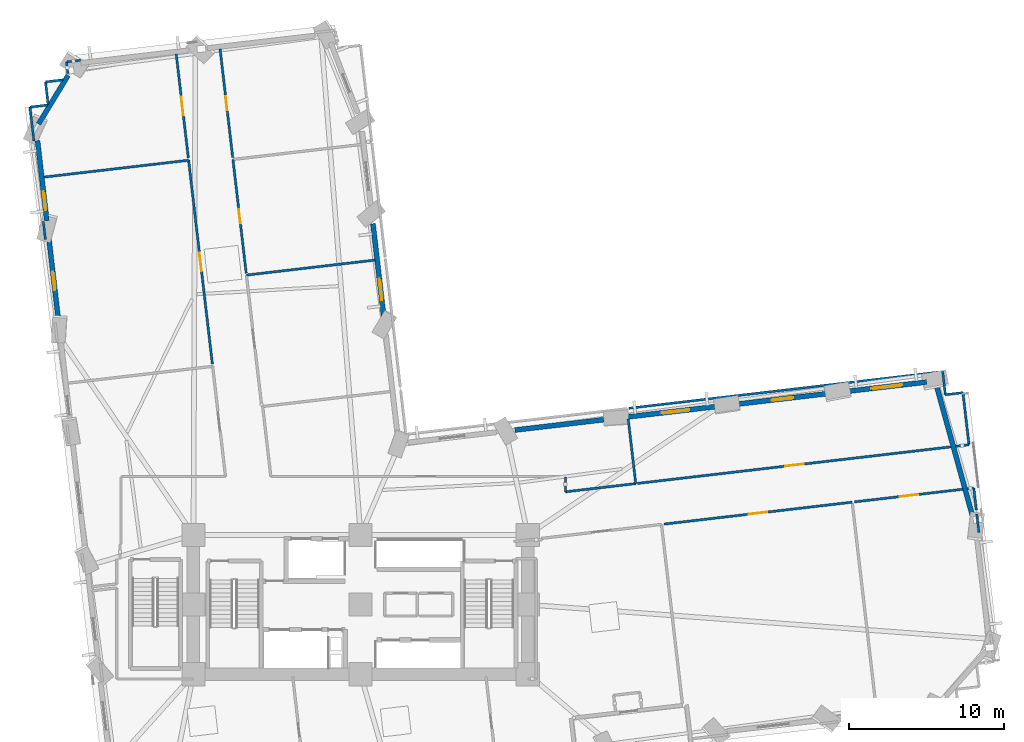
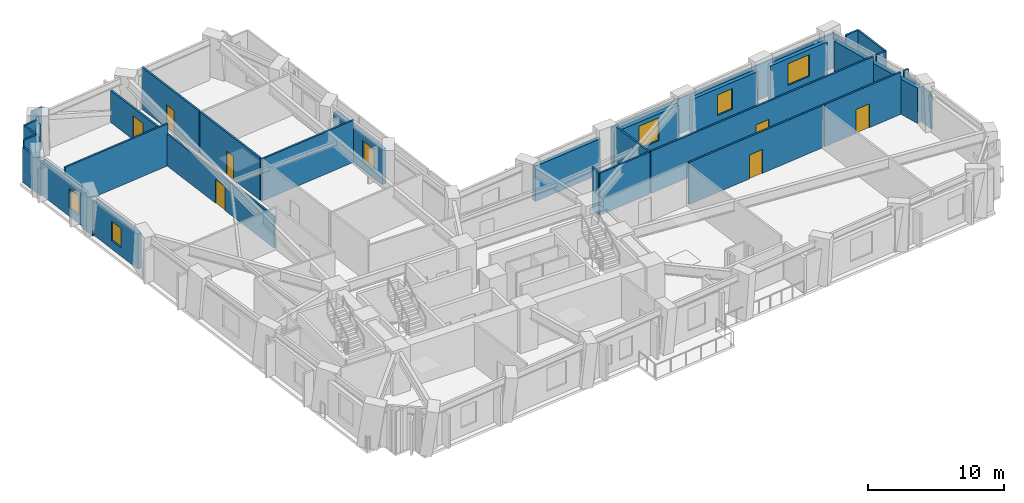
# One storey, part 9 of 14: 36 walls, 7 doors, 6 windows, 13 openings.
"""IFC4 building model written with IfcOpenShell, lengths in metres."""

from ifc_helpers import new_model, si_unit, direction, frame, frame_2d, origin, place, context, subcontext, project, spatial, rectangle, extrude, material, layer, layer_set, type_object, element, fill, save


model = new_model("IFC4")

# Units and contexts
model_context = context("Model", 3, precision=1e-05, world=origin(), true_north=direction((0.0, 1.0)))
body_context = subcontext(model_context, "Body", "Model", "MODEL_VIEW")
ifc_project = project(units=[si_unit("LENGTHUNIT", "METRE"), si_unit("AREAUNIT", "SQUARE_METRE"), si_unit("VOLUMEUNIT", "CUBIC_METRE"), si_unit("PLANEANGLEUNIT", "RADIAN"), si_unit("MASSUNIT", "GRAM", prefix="KILO")], contexts=[model_context])

# Site, building, storey
site_placement = place(None, origin())
site = spatial("IfcSite", under=ifc_project, at=site_placement, CompositionType="ELEMENT")
building_placement = place(site_placement, origin())
building = spatial("IfcBuilding", under=site, at=building_placement, Name="Gaonmaruhae Medical Tower", CompositionType="ELEMENT")
storey_placement = place(building_placement, frame((0.0, 0.0, 51.0)))
storey = spatial("IfcBuildingStorey", under=building, at=storey_placement, Name="L11", CompositionType="ELEMENT", Elevation=51.0)

# Wall
ifc_material_1 = material(Name="Precast concrete C45/55", Category="concrete")
ifc_layer_1 = layer(ifc_material_1, 0.320068359375)
ifc_layer_set_1 = layer_set([ifc_layer_1], Name="Precast concrete C45/55")
wall_type_1 = type_object("IfcWallType", Name="EW-320 Lower Precast Masonry-Frame Facade Wall", PredefinedType="SOLIDWALL", material=ifc_layer_set_1)
wall_1_placement = place(storey_placement, frame((62.015380859375, 26.38037109375, 0.0), z_axis=(0.0, 0.0, 1.0), x_axis=(0.266250491898, -0.963903872574, 0.0)))
element("IfcWall", 1, at=wall_1_placement, inside=storey, type_object=wall_type_1, Name="L11 Precast Masonry-Frame Wall E02-E03", PredefinedType="SOLIDWALL", context=body_context, shape_type="SweptSolid", body=[
    extrude(rectangle(XDim=8.614013671875, YDim=0.320068359375, at=frame_2d((4.30712890625, 0.0))), origin(), (0.0, 0.0, 1.0), 3.1650390625),
])

# Wall, opening, window
wall_2_placement = place(storey_placement, frame((56.19384765625, 26.074951171875, 0.0), z_axis=(0.0, 0.0, 1.0), x_axis=(0.993271318264, 0.115810570822, 0.0)))
wall_2 = element("IfcWall", 2, at=wall_2_placement, inside=storey, type_object=wall_type_1, Name="L11 Precast Masonry-Frame Wall E03-EN01", PredefinedType="SOLIDWALL", context=body_context, shape_type="SweptSolid", body=[
    extrude(rectangle(XDim=5.209228515625, YDim=0.320068359375, at=frame_2d((2.6044921875, 0.0))), origin(), (0.0, 0.0, 1.0), 3.1650390625),
])
opening_1_placement = place(wall_2_placement, frame((1.60009765625, 0.0, 0.75)))
opening_1 = element("IfcOpeningElement", 3, at=opening_1_placement, cuts=wall_2, Name="Opening WN-02", PredefinedType="OPENING", context=body_context, shape_type="SweptSolid", body=[
    extrude(rectangle(XDim=2.0, YDim=1.949951171875, at=frame_2d((1.0, 0.97509765625))), frame((0.0, 0.169921875, 0.0), z_axis=(0.0, -1.0, 0.0), x_axis=(1.0, 0.0, 0.0)), (0.0, 0.0, 1.0), 0.340087890625),
])
ifc_material_2 = material(Name="Anodised aluminium and Low-E double glazing", Category="aluminium")
window_type_1 = type_object("IfcWindowType", Name="WN-02 Double-Bed Ward Punched Window 2000x1950", PartitioningType="SINGLE_PANEL", PredefinedType="WINDOW", material=ifc_material_2)
window_1_placement = place(opening_1_placement, origin())
window_1 = element("IfcWindow", 4, at=window_1_placement, inside=storey, type_object=window_type_1, Name="L11 Modular Facade Window E03", OverallHeight=1.949951171875, OverallWidth=2.0, PartitioningType="SINGLE_PANEL", PredefinedType="WINDOW", context=body_context, shape_type="SweptSolid", body=[
    extrude(rectangle(XDim=2.0, YDim=1.949951171875, at=frame_2d((1.0, 0.97509765625))), frame((0.0, 0.030029296875, 0.0), z_axis=(0.0, -1.0, 0.0), x_axis=(1.0, 0.0, 0.0)), (0.0, 0.0, 1.0), 0.06005859375),
])
fill(opening_1, window_1)

wall_3_placement = place(storey_placement, frame((49.05810546875, 25.2431640625, 0.0), z_axis=(0.0, 0.0, 1.0), x_axis=(0.993274795212, 0.115780746223, 0.0)))
wall_3 = element("IfcWall", 5, at=wall_3_placement, inside=storey, type_object=wall_type_1, Name="L11 Precast Masonry-Frame Wall EN01-EN02", PredefinedType="SOLIDWALL", context=body_context, shape_type="SweptSolid", body=[
    extrude(rectangle(XDim=6.0244140625, YDim=0.320068359375, at=frame_2d((3.01220703125, 0.0))), origin(), (0.0, 0.0, 1.0), 3.1650390625),
])
opening_2_placement = place(wall_3_placement, frame((2.30859375, 0.0, 0.75)))
opening_2 = element("IfcOpeningElement", 6, at=opening_2_placement, cuts=wall_3, Name="Opening WN-03", PredefinedType="OPENING", context=body_context, shape_type="SweptSolid", body=[
    extrude(rectangle(XDim=1.39990234375, YDim=1.85009765625, at=frame_2d((0.699951171875, 0.925048828125))), frame((0.0, 0.169921875, 0.0), z_axis=(0.0, -1.0, 0.0), x_axis=(1.0, 0.0, 0.0)), (0.0, 0.0, 1.0), 0.340087890625),
])
window_type_2 = type_object("IfcWindowType", Name="WN-03 Isolation Ward Punched Window 1400x1850", PartitioningType="SINGLE_PANEL", PredefinedType="WINDOW", material=ifc_material_2)
window_2_placement = place(opening_2_placement, origin())
window_2 = element("IfcWindow", 7, at=window_2_placement, inside=storey, type_object=window_type_2, Name="L11 Modular Facade Window EN01", OverallHeight=1.85009765625, OverallWidth=1.39990234375, PartitioningType="SINGLE_PANEL", PredefinedType="WINDOW", context=body_context, shape_type="SweptSolid", body=[
    extrude(rectangle(XDim=1.39990234375, YDim=1.85009765625, at=frame_2d((0.699951171875, 0.925048828125))), frame((0.0, 0.030029296875, 0.0), z_axis=(0.0, -1.0, 0.0), x_axis=(1.0, 0.0, 0.0)), (0.0, 0.0, 1.0), 0.06005859375),
])
fill(opening_2, window_2)

wall_4_placement = place(storey_placement, frame((41.916259765625, 24.410400390625, 0.0), z_axis=(0.0, 0.0, 1.0), x_axis=(0.993271177126, 0.115811781314, 0.0)))
wall_4 = element("IfcWall", 8, at=wall_4_placement, inside=storey, type_object=wall_type_1, Name="L11 Precast Masonry-Frame Wall EN02-EN03", PredefinedType="SOLIDWALL", context=body_context, shape_type="SweptSolid", body=[
    extrude(rectangle(XDim=5.99951171875, YDim=0.320068359375, at=frame_2d((2.999755859375, 0.0))), origin(), (0.0, 0.0, 1.0), 3.1650390625),
])
opening_3_placement = place(wall_4_placement, frame((2.33837890625, 0.0, 0.75)))
opening_3 = element("IfcOpeningElement", 9, at=opening_3_placement, cuts=wall_4, Name="Opening WN-04", PredefinedType="OPENING", context=body_context, shape_type="SweptSolid", body=[
    extrude(rectangle(XDim=1.800048828125, YDim=2.050048828125, at=frame_2d((0.89990234375, 1.02490234375))), frame((0.0, 0.169921875, 0.0), z_axis=(0.0, -1.0, 0.0), x_axis=(1.0, 0.0, 0.0)), (0.0, 0.0, 1.0), 0.340087890625),
])
window_type_3 = type_object("IfcWindowType", Name="WN-04 Clinic & Consult Punched Window 1800x2050", PartitioningType="SINGLE_PANEL", PredefinedType="WINDOW", material=ifc_material_2)
window_3_placement = place(opening_3_placement, origin())
window_3 = element("IfcWindow", 10, at=window_3_placement, inside=storey, type_object=window_type_3, Name="L11 Modular Facade Window EN02", OverallHeight=2.050048828125, OverallWidth=1.800048828125, PartitioningType="SINGLE_PANEL", PredefinedType="WINDOW", context=body_context, shape_type="SweptSolid", body=[
    extrude(rectangle(XDim=1.800048828125, YDim=2.050048828125, at=frame_2d((0.89990234375, 1.02490234375))), frame((0.0, 0.030029296875, 0.0), z_axis=(0.0, -1.0, 0.0), x_axis=(1.0, 0.0, 0.0)), (0.0, 0.0, 1.0), 0.06005859375),
])
fill(opening_3, window_3)

# Wall
wall_5_placement = place(storey_placement, frame((34.7685546875, 23.5771484375, 0.0), z_axis=(0.0, 0.0, 1.0), x_axis=(0.993271428488, 0.115809625458, 0.0)))
element("IfcWall", 11, at=wall_5_placement, inside=storey, type_object=wall_type_1, Name="L11 Precast Masonry-Frame Wall EN03-EN04", PredefinedType="SOLIDWALL", context=body_context, shape_type="SweptSolid", body=[
    extrude(rectangle(XDim=5.987060546875, YDim=0.320068359375, at=frame_2d((2.99365234375, 0.0))), origin(), (0.0, 0.0, 1.0), 3.1650390625),
])

# Wall, opening, window
wall_6_placement = place(storey_placement, frame((26.2890625, 30.945556640625, 0.0), z_axis=(0.0, 0.0, 1.0), x_axis=(-0.11579232978, 0.99327344491, 0.0)))
wall_6 = element("IfcWall", 12, at=wall_6_placement, inside=storey, type_object=wall_type_1, Name="L11 Precast Masonry-Frame Wall NE01-NE02", PredefinedType="SOLIDWALL", context=body_context, shape_type="SweptSolid", body=[
    extrude(rectangle(XDim=5.996337890625, YDim=0.320068359375, at=frame_2d((2.998046875, 0.0))), origin(), (0.0, 0.0, 1.0), 3.1650390625),
])
opening_4_placement = place(wall_6_placement, frame((1.02001953125, 0.0, 0.75)))
opening_4 = element("IfcOpeningElement", 13, at=opening_4_placement, cuts=wall_6, Name="Opening WN-03", PredefinedType="OPENING", context=body_context, shape_type="SweptSolid", body=[
    extrude(rectangle(XDim=1.39990234375, YDim=1.85009765625, at=frame_2d((0.699951171875, 0.925048828125))), frame((0.0, 0.169921875, 0.0), z_axis=(0.0, -1.0, 0.0), x_axis=(1.0, 0.0, 0.0)), (0.0, 0.0, 1.0), 0.340087890625),
])
window_4_placement = place(opening_4_placement, origin())
window_4 = element("IfcWindow", 14, at=window_4_placement, inside=storey, type_object=window_type_2, Name="L11 Modular Facade Window NE01", OverallHeight=1.85009765625, OverallWidth=1.39990234375, PartitioningType="SINGLE_PANEL", PredefinedType="WINDOW", context=body_context, shape_type="SweptSolid", body=[
    extrude(rectangle(XDim=1.39990234375, YDim=1.85009765625, at=frame_2d((0.699951171875, 0.925048828125))), frame((0.0, 0.030029296875, 0.0), z_axis=(0.0, -1.0, 0.0), x_axis=(1.0, 0.0, 0.0)), (0.0, 0.0, 1.0), 0.06005859375),
])
fill(opening_4, window_4)

# Wall
wall_7_placement = place(storey_placement, frame((3.99853515625, 43.347900390625, 0.0), z_axis=(0.0, 0.0, 1.0), x_axis=(0.519169277359, 0.85467143479, 0.0)))
element("IfcWall", 15, at=wall_7_placement, inside=storey, type_object=wall_type_1, Name="L11 Precast Masonry-Frame Wall N03-W01", PredefinedType="SOLIDWALL", context=body_context, shape_type="SweptSolid", body=[
    extrude(rectangle(XDim=3.666015625, YDim=0.320068359375, at=frame_2d((1.8330078125, 0.0))), origin(), (0.0, 0.0, 1.0), 3.1650390625),
])

# Wall, opening, window
wall_8_placement = place(storey_placement, frame((4.531982421875, 37.0830078125, 0.0), z_axis=(0.0, 0.0, 1.0), x_axis=(-0.11578615957, 0.993274164192, 0.0)))
wall_8 = element("IfcWall", 16, at=wall_8_placement, inside=storey, type_object=wall_type_1, Name="L11 Precast Masonry-Frame Wall W01-W02", PredefinedType="SOLIDWALL", context=body_context, shape_type="SweptSolid", body=[
    extrude(rectangle(XDim=5.222900390625, YDim=0.320068359375, at=frame_2d((2.611328125, 0.0))), origin(), (0.0, 0.0, 1.0), 3.1650390625),
])
opening_5_placement = place(wall_8_placement, frame((0.714599609375, 0.0, 0.75)))
opening_5 = element("IfcOpeningElement", 17, at=opening_5_placement, cuts=wall_8, Name="Opening WN-05", PredefinedType="OPENING", context=body_context, shape_type="SweptSolid", body=[
    extrude(rectangle(XDim=1.199951171875, YDim=1.75, at=frame_2d((0.60009765625, 0.875))), frame((0.0, 0.169921875, 0.0), z_axis=(0.0, -1.0, 0.0), x_axis=(1.0, 0.0, 0.0)), (0.0, 0.0, 1.0), 0.340087890625),
])
window_type_4 = type_object("IfcWindowType", Name="WN-05 Support & Staff Punched Window 1200x1750", PartitioningType="SINGLE_PANEL", PredefinedType="WINDOW", material=ifc_material_2)
window_5_placement = place(opening_5_placement, origin())
window_5 = element("IfcWindow", 18, at=window_5_placement, inside=storey, type_object=window_type_4, Name="L11 Modular Facade Window W01", OverallHeight=1.75, OverallWidth=1.199951171875, PartitioningType="SINGLE_PANEL", PredefinedType="WINDOW", context=body_context, shape_type="SweptSolid", body=[
    extrude(rectangle(XDim=1.199951171875, YDim=1.75, at=frame_2d((0.60009765625, 0.875))), frame((0.0, 0.030029296875, 0.0), z_axis=(0.0, -1.0, 0.0), x_axis=(1.0, 0.0, 0.0)), (0.0, 0.0, 1.0), 0.06005859375),
])
fill(opening_5, window_5)

wall_9_placement = place(storey_placement, frame((5.29541015625, 30.53662109375, 0.0), z_axis=(0.0, 0.0, 1.0), x_axis=(-0.115818260526, 0.993270421652, 0.0)))
wall_9 = element("IfcWall", 19, at=wall_9_placement, inside=storey, type_object=wall_type_1, Name="L11 Precast Masonry-Frame Wall W02-W03", PredefinedType="SOLIDWALL", context=body_context, shape_type="SweptSolid", body=[
    extrude(rectangle(XDim=5.400634765625, YDim=0.320068359375, at=frame_2d((2.7001953125, 0.0))), origin(), (0.0, 0.0, 1.0), 3.1650390625),
])
opening_6_placement = place(wall_9_placement, frame((2.098388671875, 0.0, 0.75)))
opening_6 = element("IfcOpeningElement", 20, at=opening_6_placement, cuts=wall_9, Name="Opening WN-05", PredefinedType="OPENING", context=body_context, shape_type="SweptSolid", body=[
    extrude(rectangle(XDim=1.199951171875, YDim=1.75, at=frame_2d((0.60009765625, 0.875))), frame((0.0, 0.169921875, 0.0), z_axis=(0.0, -1.0, 0.0), x_axis=(1.0, 0.0, 0.0)), (0.0, 0.0, 1.0), 0.340087890625),
])
window_6_placement = place(opening_6_placement, origin())
window_6 = element("IfcWindow", 21, at=window_6_placement, inside=storey, type_object=window_type_4, Name="L11 Modular Facade Window W02", OverallHeight=1.75, OverallWidth=1.199951171875, PartitioningType="SINGLE_PANEL", PredefinedType="WINDOW", context=body_context, shape_type="SweptSolid", body=[
    extrude(rectangle(XDim=1.199951171875, YDim=1.75, at=frame_2d((0.60009765625, 0.875))), frame((0.0, 0.030029296875, 0.0), z_axis=(0.0, -1.0, 0.0), x_axis=(1.0, 0.0, 0.0)), (0.0, 0.0, 1.0), 0.06005859375),
])
fill(opening_6, window_6)

# Wall, opening, door
ifc_material_3 = material(Name="Gypsum board partition", Category="gypsum")
ifc_layer_2 = layer(ifc_material_3, 0.14990234375)
ifc_layer_set_2 = layer_set([ifc_layer_2], Name="Gypsum board partition")
wall_type_2 = type_object("IfcWallType", Name="PW-150 Rated Clinical Corridor Partition", PredefinedType="PARTITIONING", material=ifc_layer_set_2)
wall_10_placement = place(storey_placement, frame((44.39306640625, 17.5009765625, 0.0), z_axis=(0.0, 0.0, 1.0), x_axis=(0.993276639016, 0.115764927265, 0.0)))
wall_10 = element("IfcWall", 22, at=wall_10_placement, inside=storey, type_object=wall_type_2, Name="L11 Interior Partition L11-SUP04-33", PredefinedType="PARTITIONING", context=body_context, shape_type="SweptSolid", body=[
    extrude(rectangle(XDim=12.240234375, YDim=0.14990234375, at=frame_2d((6.1201171875, 0.0))), origin(), (0.0, 0.0, 1.0), 3.780029296875),
])
opening_7_placement = place(wall_10_placement, frame((5.52001953125, 0.0, 0.0)))
opening_7 = element("IfcOpeningElement", 23, at=opening_7_placement, cuts=wall_10, Name="Opening CD-02", PredefinedType="OPENING", context=body_context, shape_type="SweptSolid", body=[
    extrude(rectangle(XDim=1.199951171875, YDim=2.14990234375, at=frame_2d((0.60009765625, 1.074951171875))), frame((0.0, 0.0849609375, 0.0), z_axis=(0.0, -1.0, 0.0), x_axis=(1.0, 0.0, 0.0)), (0.0, 0.0, 1.0), 0.169921875),
])
ifc_material_4 = material(Name="Antimicrobial laminate timber fire door", Category="wood")
door_type_1 = type_object("IfcDoorType", Name="CD-02 Clinical Treatment & Procedure Door 1200x2150", OperationType="NOTDEFINED", PredefinedType="DOOR", material=ifc_material_4)
door_1_placement = place(opening_7_placement, origin())
door_1 = element("IfcDoor", 24, at=door_1_placement, inside=storey, type_object=door_type_1, Name="L11 Clinical Biomedical Charting Office Door", OperationType="SINGLE_SWING_LEFT", OverallHeight=2.14990234375, OverallWidth=1.199951171875, PredefinedType="DOOR", context=body_context, shape_type="SweptSolid", body=[
    extrude(rectangle(XDim=1.199951171875, YDim=2.14990234375, at=frame_2d((0.60009765625, 1.074951171875))), frame((0.0, 0.02490234375, 0.0), z_axis=(0.0, -1.0, 0.0), x_axis=(1.0, 0.0, 0.0)), (0.0, 0.0, 1.0), 0.050048828125),
])
fill(opening_7, door_1)

wall_11_placement = place(storey_placement, frame((56.708984375, 18.93701171875, 0.0), z_axis=(0.0, 0.0, 1.0), x_axis=(0.993269785823, 0.115823713336, 0.0)))
wall_11 = element("IfcWall", 25, at=wall_11_placement, inside=storey, type_object=wall_type_2, Name="L11 Interior Partition L11-SUP05-40", PredefinedType="PARTITIONING", context=body_context, shape_type="SweptSolid", body=[
    extrude(rectangle(XDim=7.04443359375, YDim=0.14990234375, at=frame_2d((3.522216796875, 0.0))), origin(), (0.0, 0.0, 1.0), 3.780029296875),
])
opening_8_placement = place(wall_11_placement, frame((2.922119140625, 0.0, 0.0)))
opening_8 = element("IfcOpeningElement", 26, at=opening_8_placement, cuts=wall_11, Name="Opening CD-02", PredefinedType="OPENING", context=body_context, shape_type="SweptSolid", body=[
    extrude(rectangle(XDim=1.199951171875, YDim=2.14990234375, at=frame_2d((0.60009765625, 1.074951171875))), frame((0.0, 0.0849609375, 0.0), z_axis=(0.0, -1.0, 0.0), x_axis=(1.0, 0.0, 0.0)), (0.0, 0.0, 1.0), 0.169921875),
])
door_2_placement = place(opening_8_placement, origin())
door_2 = element("IfcDoor", 27, at=door_2_placement, inside=storey, type_object=door_type_1, Name="L11 Clinical Biomedical Charting Office Door", OperationType="SINGLE_SWING_LEFT", OverallHeight=2.14990234375, OverallWidth=1.199951171875, PredefinedType="DOOR", context=body_context, shape_type="SweptSolid", body=[
    extrude(rectangle(XDim=1.199951171875, YDim=2.14990234375, at=frame_2d((0.60009765625, 1.074951171875))), frame((0.0, 0.02490234375, 0.0), z_axis=(0.0, -1.0, 0.0), x_axis=(1.0, 0.0, 0.0)), (0.0, 0.0, 1.0), 0.050048828125),
])
fill(opening_8, door_2)

# Walls
wall_12_placement = place(storey_placement, frame((63.97705078125, 19.783935546875, 0.0), z_axis=(0.0, 0.0, 1.0), x_axis=(0.99313891796, 0.116940538875, 0.0)))
element("IfcWall", 28, at=wall_12_placement, inside=storey, type_object=wall_type_2, Name="L11 Interior Partition L11-SUP05-41", PredefinedType="PARTITIONING", context=body_context, shape_type="SweptSolid", body=[
    extrude(rectangle(XDim=0.427978515625, YDim=0.14990234375, at=frame_2d((0.2138671875, 0.0))), origin(), (0.0, 0.0, 1.0), 3.780029296875),
])
wall_13_placement = place(storey_placement, frame((64.402099609375, 19.833984375, 0.0), z_axis=(0.0, 0.0, 1.0), x_axis=(0.115756627121, -0.993277606351, 0.0)))
element("IfcWall", 29, at=wall_13_placement, inside=storey, type_object=wall_type_2, Name="L11 Interior Partition L11-SUP05-42", PredefinedType="PARTITIONING", context=body_context, shape_type="SweptSolid", body=[
    extrude(rectangle(XDim=1.423583984375, YDim=0.14990234375, at=frame_2d((0.7119140625, 0.0))), origin(), (0.0, 0.0, 1.0), 3.1650390625),
])
wall_14_placement = place(storey_placement, frame((64.597900390625, 18.156982421875, 0.0), z_axis=(0.0, 0.0, 1.0), x_axis=(0.11532567152, -0.993327735185, 0.0)))
element("IfcWall", 30, at=wall_14_placement, inside=storey, type_object=wall_type_2, Name="L11 Interior Partition L11-SUP05-43", PredefinedType="PARTITIONING", context=body_context, shape_type="SweptSolid", body=[
    extrude(rectangle(XDim=1.215087890625, YDim=0.14990234375, at=frame_2d((0.607421875, 0.0))), origin(), (0.0, 0.0, 1.0), 3.1650390625),
])
wall_15_placement = place(storey_placement, frame((4.337890625, 39.9130859375, 0.0), z_axis=(0.0, 0.0, 1.0), x_axis=(0.993278152999, 0.11575193638, 0.0)))
element("IfcWall", 31, at=wall_15_placement, inside=storey, type_object=wall_type_2, Name="L11 Interior Partition L11-WOF07-56", PredefinedType="PARTITIONING", context=body_context, shape_type="SweptSolid", body=[
    extrude(rectangle(XDim=9.415283203125, YDim=0.14990234375, at=frame_2d((4.70751953125, 0.0))), origin(), (0.0, 0.0, 1.0), 3.780029296875),
])

# Wall, opening, door
wall_16_placement = place(storey_placement, frame((13.68994140625, 41.0029296875, 0.0), z_axis=(0.0, 0.0, 1.0), x_axis=(0.11578306798, -0.993274524575, 0.0)))
wall_16 = element("IfcWall", 32, at=wall_16_placement, inside=storey, type_object=wall_type_2, Name="L11 Interior Partition L11-WOF07-57", PredefinedType="PARTITIONING", context=body_context, shape_type="SweptSolid", body=[
    extrude(rectangle(XDim=13.239990234375, YDim=0.14990234375, at=frame_2d((6.6201171875, 0.0))), origin(), (0.0, 0.0, 1.0), 2.864990234375),
])
opening_9_placement = place(wall_16_placement, frame((6.02001953125, 0.0, 0.0)))
opening_9 = element("IfcOpeningElement", 33, at=opening_9_placement, cuts=wall_16, Name="Opening CD-02", PredefinedType="OPENING", context=body_context, shape_type="SweptSolid", body=[
    extrude(rectangle(XDim=1.199951171875, YDim=2.14990234375, at=frame_2d((0.60009765625, 1.074951171875))), frame((0.0, 0.0849609375, 0.0), z_axis=(0.0, -1.0, 0.0), x_axis=(1.0, 0.0, 0.0)), (0.0, 0.0, 1.0), 0.169921875),
])
door_3_placement = place(opening_9_placement, origin())
door_3 = element("IfcDoor", 34, at=door_3_placement, inside=storey, type_object=door_type_1, Name="L11 Ward Physician Reporting Office Door", OperationType="SINGLE_SWING_LEFT", OverallHeight=2.14990234375, OverallWidth=1.199951171875, PredefinedType="DOOR", context=body_context, shape_type="SweptSolid", body=[
    extrude(rectangle(XDim=1.199951171875, YDim=2.14990234375, at=frame_2d((0.60009765625, 1.074951171875))), frame((0.0, 0.02490234375, 0.0), z_axis=(0.0, -1.0, 0.0), x_axis=(1.0, 0.0, 0.0)), (0.0, 0.0, 1.0), 0.050048828125),
])
fill(opening_9, door_3)

# Walls
wall_17_placement = place(storey_placement, frame((4.44091796875, 35.8740234375, 0.0), z_axis=(0.0, 0.0, 1.0), x_axis=(-0.115924557338, 0.993258021365, 0.0)))
element("IfcWall", 35, at=wall_17_placement, inside=storey, type_object=wall_type_2, Name="L11 Interior Partition L11-WOF07-59", PredefinedType="PARTITIONING", context=body_context, shape_type="SweptSolid", body=[
    extrude(rectangle(XDim=1.18994140625, YDim=0.14990234375, at=frame_2d((0.594970703125, 0.0))), origin(), (0.0, 0.0, 1.0), 3.1650390625),
])
wall_18_placement = place(storey_placement, frame((4.44091796875, 46.06591796875, 0.0), z_axis=(0.0, 0.0, 1.0), x_axis=(0.993251207163, 0.115982927493, 0.0)))
element("IfcWall", 36, at=wall_18_placement, inside=storey, type_object=wall_type_2, Name="L11 Interior Partition L11-WOF08-60", PredefinedType="PARTITIONING", context=body_context, shape_type="SweptSolid", body=[
    extrude(rectangle(XDim=1.138671875, YDim=0.14990234375, at=frame_2d((0.5693359375, 0.0))), origin(), (0.0, 0.0, 1.0), 3.780029296875),
])
wall_19_placement = place(storey_placement, frame((5.886962890625, 46.614990234375, 0.0), z_axis=(0.0, 0.0, 1.0), x_axis=(-0.115659183941, 0.99328895754, 0.0)))
element("IfcWall", 37, at=wall_19_placement, inside=storey, type_object=wall_type_2, Name="L11 Interior Partition L11-WOF08-61", PredefinedType="PARTITIONING", context=body_context, shape_type="SweptSolid", body=[
    extrude(rectangle(XDim=0.742919921875, YDim=0.14990234375, at=frame_2d((0.37158203125, 0.0))), origin(), (0.0, 0.0, 1.0), 3.780029296875),
])
wall_20_placement = place(storey_placement, frame((5.801025390625, 47.35302734375, 0.0), z_axis=(0.0, 0.0, 1.0), x_axis=(0.993245176119, 0.116034564316, 0.0)))
element("IfcWall", 38, at=wall_20_placement, inside=storey, type_object=wall_type_2, Name="L11 Interior Partition L11-WOF08-62", PredefinedType="PARTITIONING", context=body_context, shape_type="SweptSolid", body=[
    extrude(rectangle(XDim=0.9130859375, YDim=0.14990234375, at=frame_2d((0.45654296875, 0.0))), origin(), (0.0, 0.0, 1.0), 3.780029296875),
])

# Wall, opening, door
wall_21_placement = place(storey_placement, frame((12.888916015625, 47.8720703125, 0.0), z_axis=(0.0, 0.0, 1.0), x_axis=(0.115757094982, -0.993277551826, 0.0)))
wall_21 = element("IfcWall", 39, at=wall_21_placement, inside=storey, type_object=wall_type_2, Name="L11 Interior Partition L11-WOF08-63", PredefinedType="PARTITIONING", context=body_context, shape_type="SweptSolid", body=[
    extrude(rectangle(XDim=6.75537109375, YDim=0.14990234375, at=frame_2d((3.377685546875, 0.0))), origin(), (0.0, 0.0, 1.0), 2.864990234375),
])
opening_10_placement = place(wall_21_placement, frame((2.777587890625, 0.0, 0.0)))
opening_10 = element("IfcOpeningElement", 40, at=opening_10_placement, cuts=wall_21, Name="Opening CD-02", PredefinedType="OPENING", context=body_context, shape_type="SweptSolid", body=[
    extrude(rectangle(XDim=1.199951171875, YDim=2.14990234375, at=frame_2d((0.60009765625, 1.074951171875))), frame((0.0, 0.0849609375, 0.0), z_axis=(0.0, -1.0, 0.0), x_axis=(1.0, 0.0, 0.0)), (0.0, 0.0, 1.0), 0.169921875),
])
door_4_placement = place(opening_10_placement, origin())
door_4 = element("IfcDoor", 41, at=door_4_placement, inside=storey, type_object=door_type_1, Name="L11 Ward Physician Reporting Office Door", OperationType="SINGLE_SWING_LEFT", OverallHeight=2.14990234375, OverallWidth=1.199951171875, PredefinedType="DOOR", context=body_context, shape_type="SweptSolid", body=[
    extrude(rectangle(XDim=1.199951171875, YDim=2.14990234375, at=frame_2d((0.60009765625, 1.074951171875))), frame((0.0, 0.02490234375, 0.0), z_axis=(0.0, -1.0, 0.0), x_axis=(1.0, 0.0, 0.0)), (0.0, 0.0, 1.0), 0.050048828125),
])
fill(opening_10, door_4)

# Walls
wall_22_placement = place(storey_placement, frame((3.698974609375, 42.243896484375, 0.0), z_axis=(0.0, 0.0, 1.0), x_axis=(-0.115726362129, 0.993281132967, 0.0)))
element("IfcWall", 42, at=wall_22_placement, inside=storey, type_object=wall_type_2, Name="L11 Interior Partition L11-WOF08-64", PredefinedType="PARTITIONING", context=body_context, shape_type="SweptSolid", body=[
    extrude(rectangle(XDim=2.2109375, YDim=0.14990234375, at=frame_2d((1.10546875, 0.0))), origin(), (0.0, 0.0, 1.0), 3.1650390625),
])
wall_23_placement = place(storey_placement, frame((3.443115234375, 44.43994140625, 0.0), z_axis=(0.0, 0.0, 1.0), x_axis=(0.993365107082, 0.115003321834, 0.0)))
element("IfcWall", 43, at=wall_23_placement, inside=storey, type_object=wall_type_2, Name="L11 Interior Partition L11-WOF08-65", PredefinedType="PARTITIONING", context=body_context, shape_type="SweptSolid", body=[
    extrude(rectangle(XDim=1.1484375, YDim=0.14990234375, at=frame_2d((0.57421875, 0.0))), origin(), (0.0, 0.0, 1.0), 3.780029296875),
])
wall_24_placement = place(storey_placement, frame((4.610107421875, 44.614990234375, 0.0), z_axis=(0.0, 0.0, 1.0), x_axis=(-0.115822988416, 0.993269870355, 0.0)))
element("IfcWall", 44, at=wall_24_placement, inside=storey, type_object=wall_type_2, Name="L11 Interior Partition L11-WOF08-66", PredefinedType="PARTITIONING", context=body_context, shape_type="SweptSolid", body=[
    extrude(rectangle(XDim=1.460693359375, YDim=0.14990234375, at=frame_2d((0.73046875, 0.0))), origin(), (0.0, 0.0, 1.0), 3.780029296875),
])
wall_25_placement = place(storey_placement, frame((42.0830078125, 24.2939453125, 0.0), z_axis=(0.0, 0.0, 1.0), x_axis=(0.116049657035, -0.993243412816, 0.0)))
element("IfcWall", 45, at=wall_25_placement, inside=storey, type_object=wall_type_2, Name="L11 Interior Partition L11-IE01-67", PredefinedType="PARTITIONING", context=body_context, shape_type="SweptSolid", body=[
    extrude(rectangle(XDim=4.205322265625, YDim=0.14990234375, at=frame_2d((2.1025390625, 0.0))), origin(), (0.0, 0.0, 1.0), 3.780029296875),
])
wall_26_placement = place(storey_placement, frame((42.571044921875, 20.116943359375, 0.0), z_axis=(0.0, 0.0, 1.0), x_axis=(-0.993281566308, -0.115722642698, 0.0)))
element("IfcWall", 46, at=wall_26_placement, inside=storey, type_object=wall_type_2, Name="L11 Interior Partition L11-IE01-68", PredefinedType="PARTITIONING", context=body_context, shape_type="SweptSolid", body=[
    extrude(rectangle(XDim=4.57177734375, YDim=0.14990234375, at=frame_2d((2.285888671875, 0.0))), origin(), (0.0, 0.0, 1.0), 3.780029296875),
])
wall_27_placement = place(storey_placement, frame((38.030029296875, 19.587890625, 0.0), z_axis=(0.0, 0.0, 1.0), x_axis=(0.0, 1.0, 0.0)))
element("IfcWall", 47, at=wall_27_placement, inside=storey, type_object=wall_type_2, Name="L11 Interior Partition L11-IE01-69", PredefinedType="PARTITIONING", context=body_context, shape_type="SweptSolid", body=[
    extrude(rectangle(XDim=0.962158203125, YDim=0.14990234375, at=frame_2d((0.48095703125, 0.0))), origin(), (0.0, 0.0, 1.0), 3.780029296875),
])
wall_28_placement = place(storey_placement, frame((63.7041015625, 25.993896484375, 0.0), z_axis=(0.0, 0.0, 1.0), x_axis=(0.115884252329, -0.993262724591, 0.0)))
element("IfcWall", 48, at=wall_28_placement, inside=storey, type_object=wall_type_2, Name="L11 Interior Partition L11-IE02-75", PredefinedType="PARTITIONING", context=body_context, shape_type="SweptSolid", body=[
    extrude(rectangle(XDim=3.389892578125, YDim=0.14990234375, at=frame_2d((1.69482421875, 0.0))), origin(), (0.0, 0.0, 1.0), 3.780029296875),
])
wall_29_placement = place(storey_placement, frame((64.096923828125, 22.626953125, 0.0), z_axis=(0.0, 0.0, 1.0), x_axis=(-0.99329704702, -0.11558968977, 0.0)))
element("IfcWall", 49, at=wall_29_placement, inside=storey, type_object=wall_type_2, Name="L11 Interior Partition L11-IE02-76", PredefinedType="PARTITIONING", context=body_context, shape_type="SweptSolid", body=[
    extrude(rectangle(XDim=0.8828125, YDim=0.14990234375, at=frame_2d((0.44140625, 0.0))), origin(), (0.0, 0.0, 1.0), 3.780029296875),
])

# Wall, opening, door
wall_30_placement = place(storey_placement, frame((62.948974609375, 22.492919921875, 0.0), z_axis=(0.0, 0.0, 1.0), x_axis=(-0.993272940405, -0.115796657373, 0.0)))
wall_30 = element("IfcWall", 50, at=wall_30_placement, inside=storey, type_object=wall_type_2, Name="L11 Interior Partition L11-IE02-77", PredefinedType="PARTITIONING", context=body_context, shape_type="SweptSolid", body=[
    extrude(rectangle(XDim=20.396240234375, YDim=0.14990234375, at=frame_2d((10.1982421875, 0.0))), origin(), (0.0, 0.0, 1.0), 3.780029296875),
])
opening_11_placement = place(wall_30_placement, frame((9.59814453125, 0.0, 0.0)))
opening_11 = element("IfcOpeningElement", 51, at=opening_11_placement, cuts=wall_30, Name="Opening CD-02", PredefinedType="OPENING", context=body_context, shape_type="SweptSolid", body=[
    extrude(rectangle(XDim=1.199951171875, YDim=2.14990234375, at=frame_2d((0.60009765625, 1.074951171875))), frame((0.0, 0.0849609375, 0.0), z_axis=(0.0, -1.0, 0.0), x_axis=(1.0, 0.0, 0.0)), (0.0, 0.0, 1.0), 0.169921875),
])
door_5_placement = place(opening_11_placement, origin())
door_5 = element("IfcDoor", 52, at=door_5_placement, inside=storey, type_object=door_type_1, Name="L11 Acute Treatment Examination Room Door", OperationType="SINGLE_SWING_LEFT", OverallHeight=2.14990234375, OverallWidth=1.199951171875, PredefinedType="DOOR", context=body_context, shape_type="SweptSolid", body=[
    extrude(rectangle(XDim=1.199951171875, YDim=2.14990234375, at=frame_2d((0.60009765625, 1.074951171875))), frame((0.0, 0.02490234375, 0.0), z_axis=(0.0, -1.0, 0.0), x_axis=(1.0, 0.0, 0.0)), (0.0, 0.0, 1.0), 0.050048828125),
])
fill(opening_11, door_5)

# Walls
wall_31_placement = place(storey_placement, frame((42.1240234375, 24.988037109375, 0.0), z_axis=(0.0, 0.0, 1.0), x_axis=(0.993270341993, 0.115818943685, 0.0)))
element("IfcWall", 53, at=wall_31_placement, inside=storey, type_object=wall_type_2, Name="L11 Interior Partition L11-IE02-78", PredefinedType="PARTITIONING", context=body_context, shape_type="SweptSolid", body=[
    extrude(rectangle(XDim=20.411376953125, YDim=0.14990234375, at=frame_2d((10.20556640625, 0.0))), origin(), (0.0, 0.0, 1.0), 3.1650390625),
])
wall_32_placement = place(storey_placement, frame((62.39794921875, 27.35205078125, 0.0), z_axis=(0.0, 0.0, 1.0), x_axis=(0.116038583611, -0.993244706562, 0.0)))
element("IfcWall", 54, at=wall_32_placement, inside=storey, type_object=wall_type_2, Name="L11 Interior Partition L11-IE02-79", PredefinedType="PARTITIONING", context=body_context, shape_type="SweptSolid", body=[
    extrude(rectangle(XDim=1.500244140625, YDim=0.14990234375, at=frame_2d((0.75, 0.0))), origin(), (0.0, 0.0, 1.0), 3.1650390625),
])
wall_33_placement = place(storey_placement, frame((62.572021484375, 25.862060546875, 0.0), z_axis=(0.0, 0.0, 1.0), x_axis=(0.993287361891, 0.115672886655, 0.0)))
element("IfcWall", 55, at=wall_33_placement, inside=storey, type_object=wall_type_2, Name="L11 Interior Partition L11-IE02-80", PredefinedType="PARTITIONING", context=body_context, shape_type="SweptSolid", body=[
    extrude(rectangle(XDim=1.1396484375, YDim=0.14990234375, at=frame_2d((0.56982421875, 0.0))), origin(), (0.0, 0.0, 1.0), 3.780029296875),
])
wall_34_placement = place(storey_placement, frame((17.424072265625, 33.5859375, 0.0), z_axis=(0.0, 0.0, 1.0), x_axis=(0.993266666244, 0.115850462791, 0.0)))
element("IfcWall", 56, at=wall_34_placement, inside=storey, type_object=wall_type_2, Name="L11 Interior Partition L11-IN01-82", PredefinedType="PARTITIONING", context=body_context, shape_type="SweptSolid", body=[
    extrude(rectangle(XDim=8.3642578125, YDim=0.14990234375, at=frame_2d((4.18212890625, 0.0))), origin(), (0.0, 0.0, 1.0), 3.780029296875),
])

# Wall, opening, door
wall_35_placement = place(storey_placement, frame((17.409912109375, 33.705078125, 0.0), z_axis=(0.0, 0.0, 1.0), x_axis=(-0.115807460553, 0.993271680901, 0.0)))
wall_35 = element("IfcWall", 57, at=wall_35_placement, inside=storey, type_object=wall_type_2, Name="L11 Interior Partition L11-IN02-84", PredefinedType="PARTITIONING", context=body_context, shape_type="SweptSolid", body=[
    extrude(rectangle(XDim=7.399658203125, YDim=0.14990234375, at=frame_2d((3.69970703125, 0.0))), origin(), (0.0, 0.0, 1.0), 3.780029296875),
])
opening_12_placement = place(wall_35_placement, frame((3.239990234375, 0.0, 0.0)))
opening_12 = element("IfcOpeningElement", 58, at=opening_12_placement, cuts=wall_35, Name="Opening UD-01", PredefinedType="OPENING", context=body_context, shape_type="SweptSolid", body=[
    extrude(rectangle(XDim=0.919921875, YDim=2.10009765625, at=frame_2d((0.4599609375, 1.050048828125))), frame((0.0, 0.0849609375, 0.0), z_axis=(0.0, -1.0, 0.0), x_axis=(1.0, 0.0, 0.0)), (0.0, 0.0, 1.0), 0.169921875),
])
ifc_material_5 = material(Name="Powder-coated steel utility door", Category="steel")
door_type_2 = type_object("IfcDoorType", Name="UD-01 Toilet, Utility & Housekeeping Door 920x2100", OperationType="NOTDEFINED", PredefinedType="DOOR", material=ifc_material_5)
door_6_placement = place(opening_12_placement, origin())
door_6 = element("IfcDoor", 59, at=door_6_placement, inside=storey, type_object=door_type_2, Name="L11 Ward Nutrition Pantry Door", OperationType="SINGLE_SWING_RIGHT", OverallHeight=2.10009765625, OverallWidth=0.919921875, PredefinedType="DOOR", context=body_context, shape_type="SweptSolid", body=[
    extrude(rectangle(XDim=0.919921875, YDim=2.10009765625, at=frame_2d((0.4599609375, 1.050048828125))), frame((0.0, 0.02490234375, 0.0), z_axis=(0.0, -1.0, 0.0), x_axis=(1.0, 0.0, 0.0)), (0.0, 0.0, 1.0), 0.050048828125),
])
fill(opening_12, door_6)

wall_36_placement = place(storey_placement, frame((16.5390625, 41.174072265625, 0.0), z_axis=(0.0, 0.0, 1.0), x_axis=(-0.115766090086, 0.99327650349, 0.0)))
wall_36 = element("IfcWall", 60, at=wall_36_placement, inside=storey, type_object=wall_type_2, Name="L11 Interior Partition L11-IN03-89", PredefinedType="PARTITIONING", context=body_context, shape_type="SweptSolid", body=[
    extrude(rectangle(XDim=7.075439453125, YDim=0.14990234375, at=frame_2d((3.53759765625, 0.0))), origin(), (0.0, 0.0, 1.0), 3.780029296875),
])
opening_13_placement = place(wall_36_placement, frame((3.077880859375, 0.0, 0.0)))
opening_13 = element("IfcOpeningElement", 61, at=opening_13_placement, cuts=wall_36, Name="Opening UD-01", PredefinedType="OPENING", context=body_context, shape_type="SweptSolid", body=[
    extrude(rectangle(XDim=0.919921875, YDim=2.10009765625, at=frame_2d((0.4599609375, 1.050048828125))), frame((0.0, 0.0849609375, 0.0), z_axis=(0.0, -1.0, 0.0), x_axis=(1.0, 0.0, 0.0)), (0.0, 0.0, 1.0), 0.169921875),
])
door_7_placement = place(opening_13_placement, origin())
door_7 = element("IfcDoor", 62, at=door_7_placement, inside=storey, type_object=door_type_2, Name="L11 Public Visitor Toilet Door", OperationType="SINGLE_SWING_RIGHT", OverallHeight=2.10009765625, OverallWidth=0.919921875, PredefinedType="DOOR", context=body_context, shape_type="SweptSolid", body=[
    extrude(rectangle(XDim=0.919921875, YDim=2.10009765625, at=frame_2d((0.4599609375, 1.050048828125))), frame((0.0, 0.02490234375, 0.0), z_axis=(0.0, -1.0, 0.0), x_axis=(1.0, 0.0, 0.0)), (0.0, 0.0, 1.0), 0.050048828125),
])
fill(opening_13, door_7)

save(model, "model.ifc")
